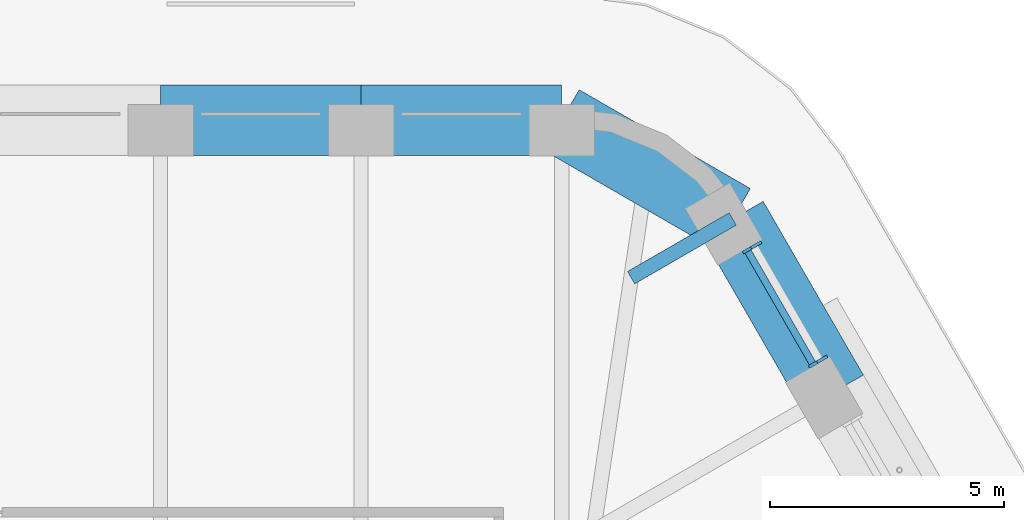
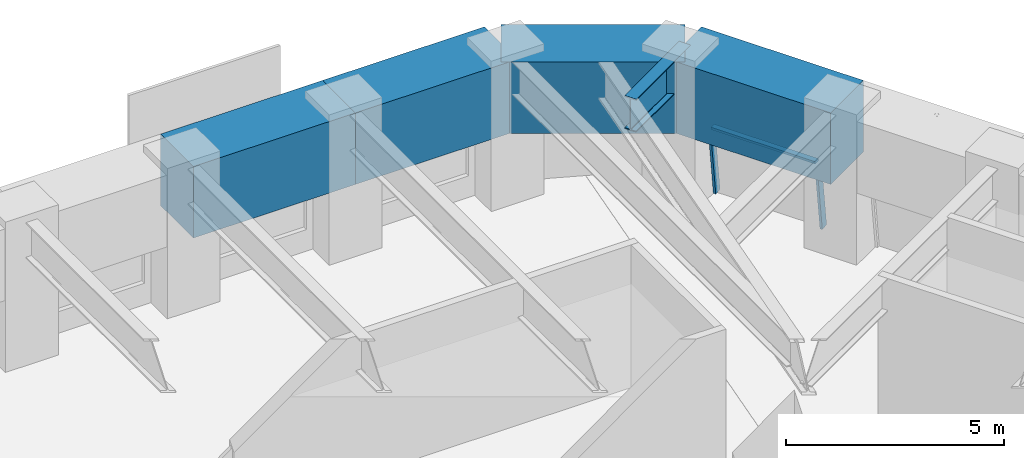
# One storey, part 11 of 18: 5 beams, 3 members, 1 element without a shape of its own.
"""IFC4 building model written with IfcOpenShell, lengths in metres."""

from ifc_helpers import new_model, si_unit, direction, frame, origin, origin_2d, place, context, subcontext, project, spatial, rectangle, i_section, extrude, material, material_profile, profile_set, type_object, element, aggregate, save


model = new_model("IFC4")

# Units and contexts
model_context = context("Model", 3, precision=1e-05, world=origin(), true_north=direction((0.0, 1.0)))
body_context = subcontext(model_context, "Body", "Model", "MODEL_VIEW")
ifc_project = project(units=[si_unit("LENGTHUNIT", "METRE"), si_unit("AREAUNIT", "SQUARE_METRE"), si_unit("VOLUMEUNIT", "CUBIC_METRE"), si_unit("PLANEANGLEUNIT", "RADIAN"), si_unit("MASSUNIT", "GRAM", prefix="KILO")], contexts=[model_context])

# Site, building, storey
site_placement = place(None, origin())
site = spatial("IfcSite", under=ifc_project, at=site_placement, CompositionType="ELEMENT")
building_placement = place(site_placement, origin())
building = spatial("IfcBuilding", under=site, at=building_placement, Name="Tarfa Lantern Tower", CompositionType="ELEMENT")
storey_placement = place(building_placement, frame((0.0, 0.0, 315.699951171875)))
storey = spatial("IfcBuildingStorey", under=building, at=storey_placement, Name="L71", CompositionType="ELEMENT", Elevation=315.699951171875)

# Curtain wall, members
ifc_material_1 = material(Name="Aluminium framed curtain wall", Category="aluminium")
curtain_wall_type = type_object("IfcCurtainWallType", Name="CW4 CANTED GLAZING EXECUTIVE ZONE 2000", PredefinedType="USERDEFINED", material=ifc_material_1)
curtain_wall_placement = place(storey_placement, origin())
curtain_wall = element("IfcCurtainWall", 1, at=curtain_wall_placement, inside=storey, type_object=curtain_wall_type, Name="CW4 NE L71", ObjectType="CURTAIN WALL", PredefinedType="USERDEFINED")
ifc_material_2 = material(Name="Aluminium mullion", Category="aluminium")
ifc_material_profile_1 = material_profile(ifc_material_2, rectangle(XDim=0.06494140625, YDim=0.199951171875, at=origin_2d()), Name="AL MULLION 65x200")
ifc_profile_set_1 = profile_set([ifc_material_profile_1], Name="Aluminium mullion")
member_type_1 = type_object("IfcMemberType", Name="CWM1 MULLION 65x200", PredefinedType="MULLION", material=ifc_profile_set_1)
member_1_placement = place(storey_placement, frame((18.431396484375, 21.3759765625, 0.0), z_axis=(-0.107439978116, -0.062017213975, 0.992275423596), x_axis=(0.499919672301, -0.866071776036, 0.0)))
member_1 = element("IfcMember", 2, at=member_1_placement, type_object=member_type_1, Name="CW4 mullion 1", PredefinedType="MULLION", context=body_context, shape_type="SweptSolid", body=[
    extrude(rectangle(XDim=0.06494140625, YDim=0.199951171875, at=origin_2d()), origin(), (0.0, 0.0, 1.0), 2.015625),
])
member_2_placement = place(storey_placement, frame((17.022705078125, 23.815673828125, 0.0), z_axis=(-0.107320246625, -0.062018020623, 0.992288329964), x_axis=(0.500342721131, -0.865827443207, 0.0)))
member_2 = element("IfcMember", 3, at=member_2_placement, type_object=member_type_1, Name="CW4 mullion 2", PredefinedType="MULLION", context=body_context, shape_type="SweptSolid", body=[
    extrude(rectangle(XDim=0.06494140625, YDim=0.199951171875, at=origin_2d()), origin(), (0.0, 0.0, 1.0), 2.015625),
])
ifc_material_3 = material(Name="Aluminium transom", Category="aluminium")
ifc_material_profile_2 = material_profile(ifc_material_3, rectangle(XDim=0.14990234375, YDim=0.06494140625, at=origin_2d()), Name="AL TRANSOM 150x65")
ifc_profile_set_2 = profile_set([ifc_material_profile_2], Name="Aluminium transom")
member_type_2 = type_object("IfcMemberType", Name="CWT1 TRANSOM 150x65", PredefinedType="USERDEFINED", material=ifc_profile_set_2)
member_3_placement = place(storey_placement, frame((18.2021484375, 21.28125, 1.967529296875), z_axis=(-0.499993790352, 0.866028988896, 0.0), x_axis=(-0.866028988896, -0.499993790352, 0.0)))
member_3 = element("IfcMember", 4, at=member_3_placement, type_object=member_type_2, Name="CW4 transom 1.2", ObjectType="TRANSOM", PredefinedType="USERDEFINED", context=body_context, shape_type="SweptSolid", body=[
    extrude(rectangle(XDim=0.14990234375, YDim=0.06494140625, at=origin_2d()), origin(), (0.0, 0.0, 1.0), 2.751953125),
])
aggregate(curtain_wall, [member_1, member_2, member_3])

# Beams
ifc_material_4 = material(Name="Concrete C80/95", Category="concrete")
ifc_material_profile_3 = material_profile(ifc_material_4, rectangle(XDim=1.5, YDim=2.0, at=origin_2d()), Name="RC 1500x2000")
ifc_profile_set_3 = profile_set([ifc_material_profile_3], Name="Concrete C80/95")
beam_type_1 = type_object("IfcBeamType", Name="RB3 RC 1500x2000", PredefinedType="BEAM", material=ifc_profile_set_3)
beam_1_placement = place(storey_placement, frame((18.6416015625, 20.651611328125, 3.0), z_axis=(-0.499959351497, 0.866048870937, 0.0), x_axis=(-0.866048870937, -0.499959351497, 0.0)))
element("IfcBeam", 5, at=beam_1_placement, inside=storey, type_object=beam_type_1, Name="Edge beam NE5", PredefinedType="BEAM", context=body_context, shape_type="SweptSolid", body=[
    extrude(rectangle(XDim=1.5, YDim=2.0, at=origin_2d()), origin(), (0.0, 0.0, 1.0), 4.281982421875),
])
beam_2_placement = place(storey_placement, frame((16.500732421875, 24.360107421875, 3.0), z_axis=(-0.866048788483, 0.499959494327, 0.0), x_axis=(-0.499959494327, -0.866048788483, 0.0)))
element("IfcBeam", 6, at=beam_2_placement, inside=storey, type_object=beam_type_1, Name="Edge beam NE6", PredefinedType="BEAM", context=body_context, shape_type="SweptSolid", body=[
    extrude(rectangle(XDim=1.5, YDim=2.0, at=origin_2d()), origin(), (0.0, 0.0, 1.0), 4.219970703125),
])
for number, where, z_axis, x_axis, name in (
    (7, (12.845947265625, 26.469970703125, 3.0), (-1.0, 0.0, 0.0), (0.0, -1.0, 0.0), "Edge beam N0"),
    (8, (8.56396484375, 26.469970703125, 3.0), (-1.0, 0.0, 0.0), (0.0, -1.0, 0.0), "Edge beam N1"),
):
    element("IfcBeam", number, at=place(storey_placement, frame(where, z_axis=z_axis, x_axis=x_axis)), inside=storey, type_object=beam_type_1, Name=name, PredefinedType="BEAM", context=body_context, shape_type="SweptSolid", body=[
        extrude(rectangle(XDim=1.5, YDim=2.0, at=origin_2d()), origin(), (0.0, 0.0, 1.0), 4.281982421875),
    ])
ifc_material_5 = material(Name="Steel S460M", Category="steel")
ifc_material_profile_4 = material_profile(ifc_material_5, i_section(OverallWidth=0.305419921875, OverallDepth=0.91845703125, WebThickness=0.017333984375, FlangeThickness=0.02783203125, FilletRadius=0.01904296875, at=origin_2d()), Name="UB914x305x253")
ifc_profile_set_4 = profile_set([ifc_material_profile_4], Name="Steel S460M")
beam_type_2 = type_object("IfcBeamType", Name="UB914x305x253", PredefinedType="BEAM", material=ifc_profile_set_4)
beam_3_placement = place(storey_placement, frame((16.500732421875, 24.360107421875, 3.540771484375), z_axis=(-0.865992557167, -0.500056887695, 0.0), x_axis=(0.500056887695, -0.865992557167, 0.0)))
element("IfcBeam", 9, at=beam_3_placement, inside=storey, type_object=beam_type_2, Name="Floor beam NE6", PredefinedType="BEAM", context=body_context, shape_type="SweptSolid", body=[
    extrude(i_section(OverallWidth=0.305419921875, OverallDepth=0.91845703125, WebThickness=0.017333984375, FlangeThickness=0.02783203125, FilletRadius=0.01904296875, at=origin_2d()), origin(), (0.0, 0.0, 1.0), 2.506591796875),
])

save(model, "model.ifc")
